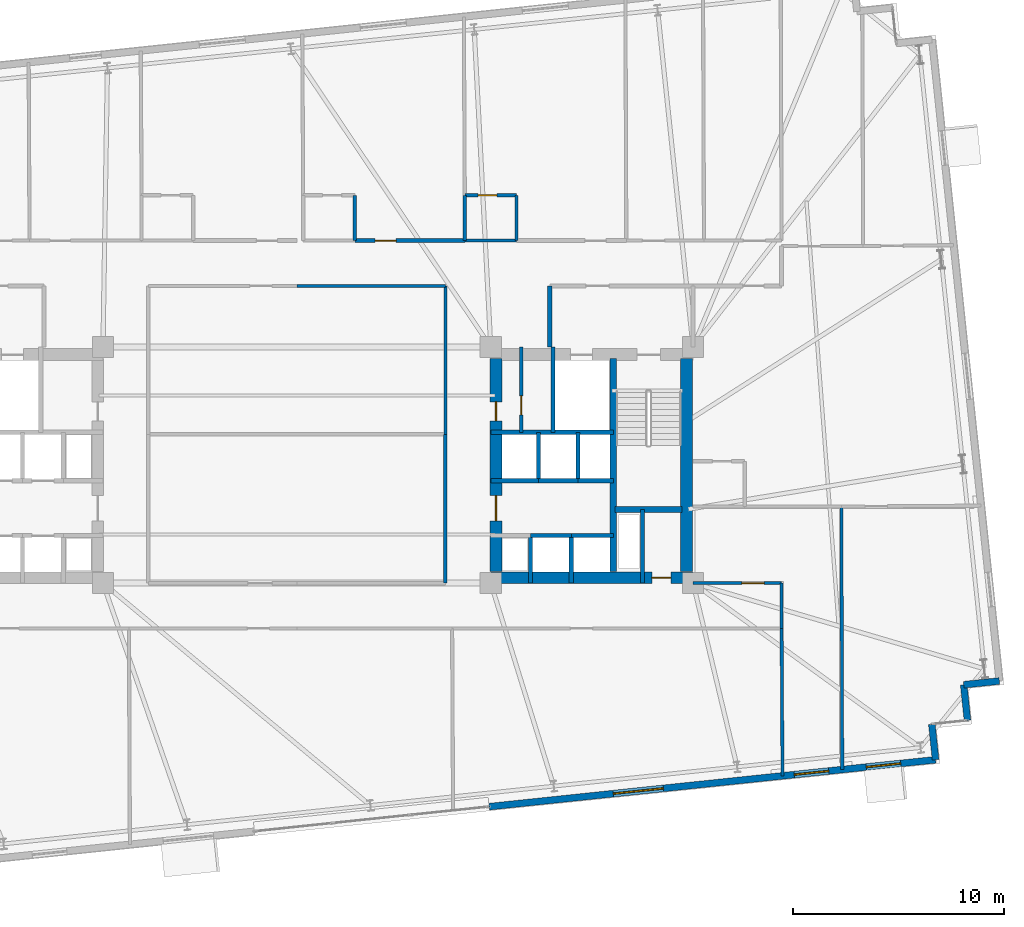
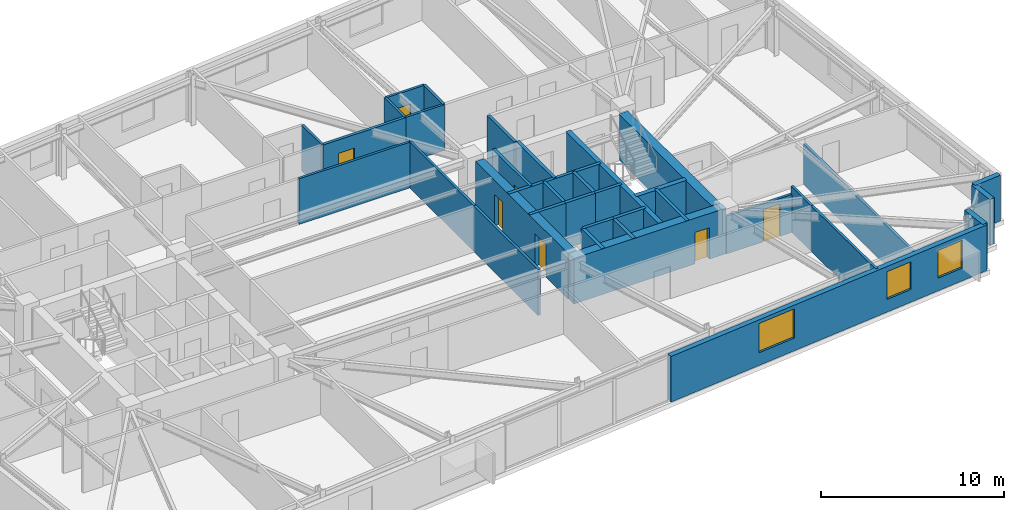
# One storey, part 18 of 23: 36 walls, 7 doors, 3 windows, 10 openings.
"""IFC4 building model written with IfcOpenShell, lengths in metres."""

from ifc_helpers import new_model, si_unit, direction, frame, frame_2d, origin, place, context, subcontext, project, spatial, rectangle, extrude, material, layer, layer_set, type_object, element, fill, save


model = new_model("IFC4")

# Units and contexts
model_context = context("Model", 3, precision=1e-05, world=origin(), true_north=direction((0.0, 1.0)))
body_context = subcontext(model_context, "Body", "Model", "MODEL_VIEW")
ifc_project = project(units=[si_unit("LENGTHUNIT", "METRE"), si_unit("AREAUNIT", "SQUARE_METRE"), si_unit("VOLUMEUNIT", "CUBIC_METRE"), si_unit("PLANEANGLEUNIT", "RADIAN"), si_unit("MASSUNIT", "GRAM", prefix="KILO")], contexts=[model_context])

# Site, building, storey
site_placement = place(None, origin())
site = spatial("IfcSite", under=ifc_project, at=site_placement, CompositionType="ELEMENT")
building_placement = place(site_placement, origin())
building = spatial("IfcBuilding", under=site, at=building_placement, Name="Qobustan Lattice House", CompositionType="ELEMENT")
storey_placement = place(building_placement, frame((0.0, 0.0, 95.75)))
storey = spatial("IfcBuildingStorey", under=building, at=storey_placement, Name="L26", CompositionType="ELEMENT", Elevation=95.75)

# Wall, opening, door
ifc_material_1 = material(Name="Concrete C60/75", Category="concrete")
ifc_layer_1 = layer(ifc_material_1, 0.56005859375)
ifc_layer_set_1 = layer_set([ifc_layer_1], Name="Concrete C60/75")
wall_type_1 = type_object("IfcWallType", Name="WAL-CORE-600", PredefinedType="SHEAR", material=ifc_layer_set_1)
wall_1_placement = place(storey_placement, frame((9.199951171875, -5.35009765625, 0.0), z_axis=(0.0, 0.0, 1.0), x_axis=(1.0, 0.0, 0.0)))
wall_1 = element("IfcWall", 1, at=wall_1_placement, inside=storey, type_object=wall_type_1, Name="L26 split-core shear wall CE-S", PredefinedType="SHEAR", context=body_context, shape_type="SweptSolid", body=[
    extrude(rectangle(XDim=9.60009765625, YDim=0.56005859375, at=frame_2d((4.800048828125, 0.0))), origin(), (0.0, 0.0, 1.0), 3.044921875),
])
opening_1_placement = place(wall_1_placement, frame((7.64990234375, 0.0, 0.0)))
opening_1 = element("IfcOpeningElement", 2, at=opening_1_placement, cuts=wall_1, Name="Opening RD-01", PredefinedType="OPENING", context=body_context, shape_type="SweptSolid", body=[
    extrude(rectangle(XDim=0.89990234375, YDim=2.10009765625, at=frame_2d((0.449951171875, 1.050048828125))), frame((0.0, 0.2900390625, 0.0), z_axis=(0.0, -1.0, 0.0), x_axis=(1.0, 0.0, 0.0)), (0.0, 0.0, 1.0), 0.580078125),
])
ifc_material_2 = material(Name="Persian walnut timber and steel frame door", Category="steel")
door_type_1 = type_object("IfcDoorType", Name="DOR-RISER-FD-900x2100", OperationType="NOTDEFINED", PredefinedType="DOOR", material=ifc_material_2)
door_1_placement = place(opening_1_placement, origin())
door_1 = element("IfcDoor", 3, at=door_1_placement, inside=storey, type_object=door_type_1, Name="L26 core service riser access door E", OperationType="SINGLE_SWING_RIGHT", OverallHeight=2.10009765625, OverallWidth=0.89990234375, PredefinedType="DOOR", context=body_context, shape_type="SweptSolid", body=[
    extrude(rectangle(XDim=0.89990234375, YDim=2.10009765625, at=frame_2d((0.449951171875, 1.050048828125))), frame((0.0, 0.02490234375, 0.0), z_axis=(0.0, -1.0, 0.0), x_axis=(1.0, 0.0, 0.0)), (0.0, 0.0, 1.0), 0.050048828125),
])
fill(opening_1, door_1)

# Wall, openings, doors
wall_2_placement = place(storey_placement, frame((9.449951171875, -5.050048828125, 0.0), z_axis=(0.0, 0.0, 1.0), x_axis=(0.0, 1.0, 0.0)))
wall_2 = element("IfcWall", 4, at=wall_2_placement, inside=storey, type_object=wall_type_1, Name="L26 split-core shear wall CE-W", PredefinedType="SHEAR", context=body_context, shape_type="SweptSolid", body=[
    extrude(rectangle(XDim=10.10009765625, YDim=0.56005859375, at=frame_2d((5.050048828125, 0.0))), origin(), (0.0, 0.0, 1.0), 3.044921875),
])
opening_2_placement = place(wall_2_placement, frame((7.14990234375, 0.0, 0.0)))
opening_2 = element("IfcOpeningElement", 5, at=opening_2_placement, cuts=wall_2, Name="Opening RD-01", PredefinedType="OPENING", context=body_context, shape_type="SweptSolid", body=[
    extrude(rectangle(XDim=0.89990234375, YDim=2.10009765625, at=frame_2d((0.449951171875, 1.050048828125))), frame((0.0, 0.2900390625, 0.0), z_axis=(0.0, -1.0, 0.0), x_axis=(1.0, 0.0, 0.0)), (0.0, 0.0, 1.0), 0.580078125),
])
opening_3_placement = place(wall_2_placement, frame((2.39990234375, 0.0, 0.0)))
opening_3 = element("IfcOpeningElement", 6, at=opening_3_placement, cuts=wall_2, Name="Opening FD-01", PredefinedType="OPENING", context=body_context, shape_type="SweptSolid", body=[
    extrude(rectangle(XDim=1.199951171875, YDim=2.14990234375, at=frame_2d((0.60009765625, 1.074951171875))), frame((0.0, 0.2900390625, 0.0), z_axis=(0.0, -1.0, 0.0), x_axis=(1.0, 0.0, 0.0)), (0.0, 0.0, 1.0), 0.580078125),
])
ifc_material_3 = material(Name="Persian walnut timber and steel frame door", Category="steel")
door_type_2 = type_object("IfcDoorType", Name="DOR-LOBBY-FD-1200x2150", OperationType="NOTDEFINED", PredefinedType="DOOR", material=ifc_material_3)
door_2_placement = place(opening_3_placement, origin())
door_2 = element("IfcDoor", 7, at=door_2_placement, inside=storey, type_object=door_type_2, Name="L26 East passenger lift lobby fire door", OperationType="SINGLE_SWING_LEFT", OverallHeight=2.14990234375, OverallWidth=1.199951171875, PredefinedType="DOOR", context=body_context, shape_type="SweptSolid", body=[
    extrude(rectangle(XDim=1.199951171875, YDim=2.14990234375, at=frame_2d((0.60009765625, 1.074951171875))), frame((0.0, 0.02490234375, 0.0), z_axis=(0.0, -1.0, 0.0), x_axis=(1.0, 0.0, 0.0)), (0.0, 0.0, 1.0), 0.050048828125),
])
fill(opening_3, door_2)
door_3_placement = place(opening_2_placement, origin())
door_3 = element("IfcDoor", 8, at=door_3_placement, inside=storey, type_object=door_type_1, Name="L26 Print and mail closet fire door", OperationType="SINGLE_SWING_RIGHT", OverallHeight=2.10009765625, OverallWidth=0.89990234375, PredefinedType="DOOR", context=body_context, shape_type="SweptSolid", body=[
    extrude(rectangle(XDim=0.89990234375, YDim=2.10009765625, at=frame_2d((0.449951171875, 1.050048828125))), frame((0.0, 0.02490234375, 0.0), z_axis=(0.0, -1.0, 0.0), x_axis=(1.0, 0.0, 0.0)), (0.0, 0.0, 1.0), 0.050048828125),
])
fill(opening_2, door_3)

# Walls
wall_3_placement = place(storey_placement, frame((18.489990234375, -5.050048828125, 0.0), z_axis=(0.0, 0.0, 1.0), x_axis=(0.0, 1.0, 0.0)))
element("IfcWall", 9, at=wall_3_placement, inside=storey, type_object=wall_type_1, Name="L26 split-core shear wall CE-E", PredefinedType="SHEAR", context=body_context, shape_type="SweptSolid", body=[
    extrude(rectangle(XDim=10.10009765625, YDim=0.56005859375, at=frame_2d((5.050048828125, 0.0))), origin(), (0.0, 0.0, 1.0), 3.044921875),
])
ifc_material_4 = material(Name="Concrete C50/60", Category="concrete")
ifc_layer_2 = layer(ifc_material_4, 0.280029296875)
ifc_layer_set_2 = layer_set([ifc_layer_2], Name="Concrete C50/60")
wall_type_2 = type_object("IfcWallType", Name="WAL-CORE-SPINE-280", PredefinedType="SHEAR", material=ifc_layer_set_2)
wall_4_placement = place(storey_placement, frame((15.02001953125, -5.050048828125, 0.0), z_axis=(0.0, 0.0, 1.0), x_axis=(0.0, 1.0, 0.0)))
element("IfcWall", 10, at=wall_4_placement, inside=storey, type_object=wall_type_2, Name="L26 split-core shear wall CE-M", PredefinedType="SHEAR", context=body_context, shape_type="SweptSolid", body=[
    extrude(rectangle(XDim=10.10009765625, YDim=0.300048828125, at=frame_2d((5.050048828125, 0.0))), origin(), (0.0, 0.0, 1.0), 3.044921875),
])
wall_5_placement = place(storey_placement, frame((15.10009765625, -2.110107421875, 0.0), z_axis=(0.0, 0.0, 1.0), x_axis=(1.0, 0.0, 0.0)))
element("IfcWall", 11, at=wall_5_placement, inside=storey, type_object=wall_type_2, Name="L26 split-core shear wall CE-ST", PredefinedType="SHEAR", context=body_context, shape_type="SweptSolid", body=[
    extrude(rectangle(XDim=3.179931640625, YDim=0.300048828125, at=frame_2d((1.58984375, 0.0))), origin(), (0.0, 0.0, 1.0), 3.044921875),
])
ifc_material_5 = material(Name="Precast concrete C40/50", Category="concrete")
ifc_layer_3 = layer(ifc_material_5, 0.320068359375)
ifc_layer_set_3 = layer_set([ifc_layer_3], Name="Precast concrete C40/50")
wall_type_3 = type_object("IfcWallType", Name="WAL-EXT-STONE-320", PredefinedType="SOLIDWALL", material=ifc_layer_set_3)
for number, where, z_axis, x_axis, name in (
    (12, (33.333251953125, -10.2490234375, 0.0), (0.0, 0.0, 1.0), (-0.994519608382, -0.104550220202, 0.0), "L26 exterior limestone-clad wall 16"),
    (13, (31.642578125, -10.4267578125, 0.0), (0.0, 0.0, 1.0), (0.104550220202, -0.994519608382, 0.0), "L26 exterior limestone-clad wall 17"),
):
    element("IfcWall", number, at=place(storey_placement, frame(where, z_axis=z_axis, x_axis=x_axis)), inside=storey, type_object=wall_type_3, Name=name, PredefinedType="SOLIDWALL", context=body_context, shape_type="SweptSolid", body=[
        extrude(rectangle(XDim=1.699951171875, YDim=0.320068359375, at=frame_2d((0.85009765625, 0.0))), origin(), (0.0, 0.0, 1.0), 3.044921875),
    ])
wall_6_placement = place(storey_placement, frame((30.129638671875, -12.295166015625, 0.0), z_axis=(0.0, 0.0, 1.0), x_axis=(0.104565154801, -0.994518038248, 0.0)))
element("IfcWall", 14, at=wall_6_placement, inside=storey, type_object=wall_type_3, Name="L26 exterior limestone-clad wall 19", PredefinedType="SOLIDWALL", context=body_context, shape_type="SweptSolid", body=[
    extrude(rectangle(XDim=1.69970703125, YDim=0.320068359375, at=frame_2d((0.849853515625, 0.0))), origin(), (0.0, 0.0, 1.0), 3.044921875),
])

# Wall, openings, windows
wall_7_placement = place(storey_placement, frame((30.307373046875, -13.985595703125, 0.0), z_axis=(0.0, 0.0, 1.0), x_axis=(-0.994521393935, -0.104533233979, 0.0)))
wall_7 = element("IfcWall", 15, at=wall_7_placement, inside=storey, type_object=wall_type_3, Name="L26 iwan flank stone wall A", PredefinedType="SOLIDWALL", context=body_context, shape_type="SweptSolid", body=[
    extrude(rectangle(XDim=21.300048828125, YDim=0.320068359375, at=frame_2d((10.64990234375, 0.0))), origin(), (0.0, 0.0, 1.0), 3.044921875),
])
opening_4_placement = place(wall_7_placement, frame((1.6572265625, 0.0, 0.85009765625)))
opening_4 = element("IfcOpeningElement", 16, at=opening_4_placement, cuts=wall_7, Name="Opening WN-09", PredefinedType="OPENING", context=body_context, shape_type="SweptSolid", body=[
    extrude(rectangle(XDim=1.64990234375, YDim=1.85009765625, at=frame_2d((0.824951171875, 0.925048828125))), frame((0.0, 0.169921875, 0.0), z_axis=(0.0, -1.0, 0.0), x_axis=(1.0, 0.0, 0.0)), (0.0, 0.0, 1.0), 0.340087890625),
])
opening_5_placement = place(wall_7_placement, frame((5.1005859375, 0.0, 0.85009765625)))
opening_5 = element("IfcOpeningElement", 17, at=opening_5_placement, cuts=wall_7, Name="Opening WN-09", PredefinedType="OPENING", context=body_context, shape_type="SweptSolid", body=[
    extrude(rectangle(XDim=1.64990234375, YDim=1.85009765625, at=frame_2d((0.824951171875, 0.925048828125))), frame((0.0, 0.169921875, 0.0), z_axis=(0.0, -1.0, 0.0), x_axis=(1.0, 0.0, 0.0)), (0.0, 0.0, 1.0), 0.340087890625),
])
opening_6_placement = place(wall_7_placement, frame((12.9833984375, 0.0, 0.85009765625)))
opening_6 = element("IfcOpeningElement", 18, at=opening_6_placement, cuts=wall_7, Name="Opening WN-10", PredefinedType="OPENING", context=body_context, shape_type="SweptSolid", body=[
    extrude(rectangle(XDim=2.39990234375, YDim=1.949951171875, at=frame_2d((1.199951171875, 0.97509765625))), frame((0.0, 0.169921875, 0.0), z_axis=(0.0, -1.0, 0.0), x_axis=(1.0, 0.0, 0.0)), (0.0, 0.0, 1.0), 0.340087890625),
])
ifc_material_6 = material(Name="Double-glazed low-E aluminium window", Category="aluminium")
window_type_1 = type_object("IfcWindowType", Name="WIN-LNG-2400x1950", PartitioningType="SINGLE_PANEL", PredefinedType="WINDOW", material=ifc_material_6)
window_1_placement = place(opening_6_placement, origin())
window_1 = element("IfcWindow", 19, at=window_1_placement, inside=storey, type_object=window_type_1, Name="L26 Walnut iwan sky lounge S3 window", OverallHeight=1.949951171875, OverallWidth=2.39990234375, PartitioningType="SINGLE_PANEL", PredefinedType="WINDOW", context=body_context, shape_type="SweptSolid", body=[
    extrude(rectangle(XDim=2.39990234375, YDim=1.949951171875, at=frame_2d((1.199951171875, 0.97509765625))), frame((0.0, 0.030029296875, 0.0), z_axis=(0.0, -1.0, 0.0), x_axis=(1.0, 0.0, 0.0)), (0.0, 0.0, 1.0), 0.06005859375),
])
fill(opening_6, window_1)
ifc_material_7 = material(Name="Double-glazed low-E aluminium window", Category="aluminium")
window_type_2 = type_object("IfcWindowType", Name="WIN-STU-1650x1850", PartitioningType="SINGLE_PANEL", PredefinedType="WINDOW", material=ifc_material_7)
window_2_placement = place(opening_4_placement, origin())
window_2 = element("IfcWindow", 20, at=window_2_placement, inside=storey, type_object=window_type_2, Name="L26 Focus study room E1B window", OverallHeight=1.85009765625, OverallWidth=1.64990234375, PartitioningType="SINGLE_PANEL", PredefinedType="WINDOW", context=body_context, shape_type="SweptSolid", body=[
    extrude(rectangle(XDim=1.64990234375, YDim=1.85009765625, at=frame_2d((0.824951171875, 0.925048828125))), frame((0.0, 0.030029296875, 0.0), z_axis=(0.0, -1.0, 0.0), x_axis=(1.0, 0.0, 0.0)), (0.0, 0.0, 1.0), 0.06005859375),
])
fill(opening_4, window_2)
window_3_placement = place(opening_5_placement, origin())
window_3 = element("IfcWindow", 21, at=window_3_placement, inside=storey, type_object=window_type_2, Name="L26 Focus study room E1A window", OverallHeight=1.85009765625, OverallWidth=1.64990234375, PartitioningType="SINGLE_PANEL", PredefinedType="WINDOW", context=body_context, shape_type="SweptSolid", body=[
    extrude(rectangle(XDim=1.64990234375, YDim=1.85009765625, at=frame_2d((0.824951171875, 0.925048828125))), frame((0.0, 0.030029296875, 0.0), z_axis=(0.0, -1.0, 0.0), x_axis=(1.0, 0.0, 0.0)), (0.0, 0.0, 1.0), 0.06005859375),
])
fill(opening_5, window_3)

# Wall, opening, door
ifc_material_8 = material(Name="Gypsum fireboard acoustic partition", Category="gypsum")
ifc_layer_4 = layer(ifc_material_8, 0.179931640625)
ifc_layer_set_4 = layer_set([ifc_layer_4], Name="Gypsum fireboard acoustic partition")
wall_type_4 = type_object("IfcWallType", Name="WAL-FIRE-180", PredefinedType="PARTITIONING", material=ifc_layer_set_4)
wall_8_placement = place(storey_placement, frame((10.64990234375, 1.550048828125, 0.0), z_axis=(0.0, 0.0, 1.0), x_axis=(0.0, 1.0, 0.0)))
wall_8 = element("IfcWall", 22, at=wall_8_placement, inside=storey, type_object=wall_type_4, Name="L26 interior partition 23", PredefinedType="PARTITIONING", context=body_context, shape_type="SweptSolid", body=[
    extrude(rectangle(XDim=4.050048828125, YDim=0.179931640625, at=frame_2d((2.02490234375, 0.0))), origin(), (0.0, 0.0, 1.0), 3.044921875),
])
opening_7_placement = place(wall_8_placement, frame((0.828857421875, 0.0, 0.0)))
opening_7 = element("IfcOpeningElement", 23, at=opening_7_placement, cuts=wall_8, Name="Opening RD-01", PredefinedType="OPENING", context=body_context, shape_type="SweptSolid", body=[
    extrude(rectangle(XDim=0.89990234375, YDim=2.10009765625, at=frame_2d((0.449951171875, 1.050048828125))), frame((0.0, 0.099853515625, 0.0), z_axis=(0.0, -1.0, 0.0), x_axis=(1.0, 0.0, 0.0)), (0.0, 0.0, 1.0), 0.199951171875),
])
door_4_placement = place(opening_7_placement, origin())
door_4 = element("IfcDoor", 24, at=door_4_placement, inside=storey, type_object=door_type_1, Name="L26 Print and mail closet to Core utility store door", OperationType="SINGLE_SWING_LEFT", OverallHeight=2.10009765625, OverallWidth=0.89990234375, PredefinedType="DOOR", context=body_context, shape_type="SweptSolid", body=[
    extrude(rectangle(XDim=0.89990234375, YDim=2.10009765625, at=frame_2d((0.449951171875, 1.050048828125))), frame((0.0, 0.02490234375, 0.0), z_axis=(0.0, -1.0, 0.0), x_axis=(1.0, 0.0, 0.0)), (0.0, 0.0, 1.0), 0.050048828125),
])
fill(opening_7, door_4)

wall_9_placement = place(storey_placement, frame((2.75, 10.64990234375, 0.0), z_axis=(0.0, 0.0, 1.0), x_axis=(1.0, 0.0, 0.0)))
wall_9 = element("IfcWall", 25, at=wall_9_placement, inside=storey, type_object=wall_type_4, Name="L26 interior partition 46", PredefinedType="PARTITIONING", context=body_context, shape_type="SweptSolid", body=[
    extrude(rectangle(XDim=5.217041015625, YDim=0.179931640625, at=frame_2d((2.6083984375, 0.0))), origin(), (0.0, 0.0, 1.0), 3.044921875),
])
opening_8_placement = place(wall_9_placement, frame((0.962158203125, 0.0, 0.0)))
opening_8 = element("IfcOpeningElement", 26, at=opening_8_placement, cuts=wall_9, Name="Opening FD-02", PredefinedType="OPENING", context=body_context, shape_type="SweptSolid", body=[
    extrude(rectangle(XDim=1.0, YDim=2.14990234375, at=frame_2d((0.5, 1.074951171875))), frame((0.0, 0.099853515625, 0.0), z_axis=(0.0, -1.0, 0.0), x_axis=(1.0, 0.0, 0.0)), (0.0, 0.0, 1.0), 0.199951171875),
])
ifc_material_9 = material(Name="Persian walnut timber and steel frame door", Category="steel")
door_type_3 = type_object("IfcDoorType", Name="DOR-UNIT-FD-1000x2150", OperationType="NOTDEFINED", PredefinedType="DOOR", material=ifc_material_9)
door_5_placement = place(opening_8_placement, origin())
door_5 = element("IfcDoor", 27, at=door_5_placement, inside=storey, type_object=door_type_3, Name="L26 North-east floor corridor to Kitchenette and studio apartment L26-N4 door", OperationType="SINGLE_SWING_LEFT", OverallHeight=2.14990234375, OverallWidth=1.0, PredefinedType="DOOR", context=body_context, shape_type="SweptSolid", body=[
    extrude(rectangle(XDim=1.0, YDim=2.14990234375, at=frame_2d((0.5, 1.074951171875))), frame((0.0, 0.02490234375, 0.0), z_axis=(0.0, -1.0, 0.0), x_axis=(1.0, 0.0, 0.0)), (0.0, 0.0, 1.0), 0.050048828125),
])
fill(opening_8, door_5)

# Wall
ifc_material_10 = material(Name="Acoustic twin-stud gypsum partition", Category="gypsum")
ifc_layer_5 = layer(ifc_material_10, 0.14990234375)
ifc_layer_set_5 = layer_set([ifc_layer_5], Name="Acoustic twin-stud gypsum partition")
wall_type_5 = type_object("IfcWallType", Name="WAL-PART-150", PredefinedType="PARTITIONING", material=ifc_layer_set_5)
wall_10_placement = place(storey_placement, frame((7.050048828125, 8.5, 0.0), z_axis=(0.0, 0.0, 1.0), x_axis=(-1.0, 0.0, 0.0)))
element("IfcWall", 28, at=wall_10_placement, inside=storey, type_object=wall_type_5, Name="L26 interior partition 52", PredefinedType="PARTITIONING", context=body_context, shape_type="SweptSolid", body=[
    extrude(rectangle(XDim=7.050048828125, YDim=0.14990234375, at=frame_2d((3.52490234375, 0.0))), origin(), (0.0, 0.0, 1.0), 3.044921875),
])

# Wall, opening, door
wall_11_placement = place(storey_placement, frame((18.800048828125, -5.60009765625, 0.0), z_axis=(0.0, 0.0, 1.0), x_axis=(1.0, 0.0, 0.0)))
wall_11 = element("IfcWall", 29, at=wall_11_placement, inside=storey, type_object=wall_type_5, Name="L26 interior partition 59", PredefinedType="PARTITIONING", context=body_context, shape_type="SweptSolid", body=[
    extrude(rectangle(XDim=4.199951171875, YDim=0.14990234375, at=frame_2d((2.10009765625, 0.0))), origin(), (0.0, 0.0, 1.0), 2.530029296875),
])
opening_9_placement = place(wall_11_placement, frame((2.3212890625, 0.0, 0.0)))
opening_9 = element("IfcOpeningElement", 30, at=opening_9_placement, cuts=wall_11, Name="Opening ID-02", PredefinedType="OPENING", context=body_context, shape_type="SweptSolid", body=[
    extrude(rectangle(XDim=1.050048828125, YDim=2.14990234375, at=frame_2d((0.52490234375, 1.074951171875))), frame((0.0, 0.0849609375, 0.0), z_axis=(0.0, -1.0, 0.0), x_axis=(1.0, 0.0, 0.0)), (0.0, 0.0, 1.0), 0.169921875),
])
ifc_material_11 = material(Name="Persian walnut timber and steel frame door", Category="steel")
door_type_4 = type_object("IfcDoorType", Name="DOR-STUDY-1050x2150", OperationType="NOTDEFINED", PredefinedType="DOOR", material=ifc_material_11)
door_6_placement = place(opening_9_placement, origin())
door_6 = element("IfcDoor", 31, at=door_6_placement, inside=storey, type_object=door_type_4, Name="L26 South-east floor corridor to Focus study room E1A door", OperationType="SINGLE_SWING_LEFT", OverallHeight=2.14990234375, OverallWidth=1.050048828125, PredefinedType="DOOR", context=body_context, shape_type="SweptSolid", body=[
    extrude(rectangle(XDim=1.050048828125, YDim=2.14990234375, at=frame_2d((0.52490234375, 1.074951171875))), frame((0.0, 0.02490234375, 0.0), z_axis=(0.0, -1.0, 0.0), x_axis=(1.0, 0.0, 0.0)), (0.0, 0.0, 1.0), 0.050048828125),
])
fill(opening_9, door_6)

# Walls
wall_12_placement = place(storey_placement, frame((23.0, -5.60009765625, 0.0), z_axis=(0.0, 0.0, 1.0), x_axis=(0.0, -1.0, 0.0)))
element("IfcWall", 32, at=wall_12_placement, inside=storey, type_object=wall_type_5, Name="L26 interior partition 60", PredefinedType="PARTITIONING", context=body_context, shape_type="SweptSolid", body=[
    extrude(rectangle(XDim=2.14990234375, YDim=0.14990234375, at=frame_2d((1.074951171875, 0.0))), origin(), (0.0, 0.0, 1.0), 3.044921875),
])
wall_13_placement = place(storey_placement, frame((7.050048828125, 1.449951171875, 0.0), z_axis=(0.0, 0.0, 1.0), x_axis=(0.0, 1.0, 0.0)))
element("IfcWall", 33, at=wall_13_placement, inside=storey, type_object=wall_type_5, Name="L26 interior partition 67", PredefinedType="PARTITIONING", context=body_context, shape_type="SweptSolid", body=[
    extrude(rectangle(XDim=7.050048828125, YDim=0.14990234375, at=frame_2d((3.52490234375, 0.0))), origin(), (0.0, 0.0, 1.0), 3.044921875),
])
wall_14_placement = place(storey_placement, frame((25.835693359375, -1.971923828125, 0.0), z_axis=(0.0, 0.0, 1.0), x_axis=(0.003521449358, -0.999993799678, 0.0)))
element("IfcWall", 34, at=wall_14_placement, inside=storey, type_object=wall_type_5, Name="L26 interior partition 77", PredefinedType="PARTITIONING", context=body_context, shape_type="SweptSolid", body=[
    extrude(rectangle(XDim=12.479248046875, YDim=0.14990234375, at=frame_2d((6.23974609375, 0.0))), origin(), (0.0, 0.0, 1.0), 2.699951171875),
])
wall_15_placement = place(storey_placement, frame((23.0439453125, -14.7490234375, 0.0), z_axis=(0.0, 0.0, 1.0), x_axis=(-0.006278653971, 0.999980289058, 0.0)))
element("IfcWall", 35, at=wall_15_placement, inside=storey, type_object=wall_type_5, Name="L26 interior partition 80", PredefinedType="PARTITIONING", context=body_context, shape_type="SweptSolid", body=[
    extrude(rectangle(XDim=6.999267578125, YDim=0.14990234375, at=frame_2d((3.49951171875, 0.0))), origin(), (0.0, 0.0, 1.0), 3.044921875),
])
ifc_material_12 = material(Name="High-mass acoustic twin-stud partition", Category="gypsum")
ifc_layer_6 = layer(ifc_material_12, 0.1650390625)
ifc_layer_set_6 = layer_set([ifc_layer_6], Name="High-mass acoustic twin-stud partition")
wall_type_6 = type_object("IfcWallType", Name="WAL-PART-165", PredefinedType="PARTITIONING", material=ifc_layer_set_6)
wall_16_placement = place(storey_placement, frame((7.050048828125, -5.60009765625, 0.0), z_axis=(0.0, 0.0, 1.0), x_axis=(0.0, 1.0, 0.0)))
element("IfcWall", 36, at=wall_16_placement, inside=storey, type_object=wall_type_6, Name="L26 interior partition 66", PredefinedType="PARTITIONING", context=body_context, shape_type="SweptSolid", body=[
    extrude(rectangle(XDim=7.050048828125, YDim=0.1650390625, at=frame_2d((3.52490234375, 0.0))), origin(), (0.0, 0.0, 1.0), 3.044921875),
])
ifc_material_13 = material(Name="Two-hour gypsum fireboard acoustic partition", Category="gypsum")
ifc_layer_7 = layer(ifc_material_13, 0.199951171875)
ifc_layer_set_7 = layer_set([ifc_layer_7], Name="Two-hour gypsum fireboard acoustic partition")
wall_type_7 = type_object("IfcWallType", Name="WAL-PROT-200", PredefinedType="PARTITIONING", material=ifc_layer_set_7)
wall_17_placement = place(storey_placement, frame((12.0, 8.5, 0.0), z_axis=(0.0, 0.0, 1.0), x_axis=(0.0, -1.0, 0.0)))
element("IfcWall", 37, at=wall_17_placement, inside=storey, type_object=wall_type_7, Name="L26 interior partition 21", PredefinedType="PARTITIONING", context=body_context, shape_type="SweptSolid", body=[
    extrude(rectangle(XDim=2.89990234375, YDim=0.199951171875, at=frame_2d((1.449951171875, 0.0))), origin(), (0.0, 0.0, 1.0), 3.044921875),
])
ifc_material_14 = material(Name="Concrete C40/50", Category="concrete")
ifc_layer_8 = layer(ifc_material_14, 0.199951171875)
ifc_layer_set_8 = layer_set([ifc_layer_8], Name="Concrete C40/50")
wall_type_8 = type_object("IfcWallType", Name="WAL-SHAFT-200", PredefinedType="PARTITIONING", material=ifc_layer_set_8)
wall_18_placement = place(storey_placement, frame((16.39990234375, -2.110107421875, 0.0), z_axis=(0.0, 0.0, 1.0), x_axis=(0.0, -1.0, 0.0)))
element("IfcWall", 38, at=wall_18_placement, inside=storey, type_object=wall_type_8, Name="L26 interior partition 18", PredefinedType="PARTITIONING", context=body_context, shape_type="SweptSolid", body=[
    extrude(rectangle(XDim=3.489990234375, YDim=0.199951171875, at=frame_2d((1.7451171875, 0.0))), origin(), (0.0, 0.0, 1.0), 3.044921875),
])
wall_19_placement = place(storey_placement, frame((12.14990234375, 5.60009765625, 0.0), z_axis=(0.0, 0.0, 1.0), x_axis=(0.0, -1.0, 0.0)))
element("IfcWall", 39, at=wall_19_placement, inside=storey, type_object=wall_type_8, Name="L26 interior partition 19", PredefinedType="PARTITIONING", context=body_context, shape_type="SweptSolid", body=[
    extrude(rectangle(XDim=4.050048828125, YDim=0.199951171875, at=frame_2d((2.02490234375, 0.0))), origin(), (0.0, 0.0, 1.0), 3.044921875),
])
wall_20_placement = place(storey_placement, frame((11.080078125, -3.35009765625, 0.0), z_axis=(0.0, 0.0, 1.0), x_axis=(1.0, 0.0, 0.0)))
element("IfcWall", 40, at=wall_20_placement, inside=storey, type_object=wall_type_8, Name="L26 interior partition 26", PredefinedType="PARTITIONING", context=body_context, shape_type="SweptSolid", body=[
    extrude(rectangle(XDim=1.93994140625, YDim=0.199951171875, at=frame_2d((0.969970703125, 0.0))), origin(), (0.0, 0.0, 1.0), 3.044921875),
])
wall_21_placement = place(storey_placement, frame((13.02001953125, -3.35009765625, 0.0), z_axis=(0.0, 0.0, 1.0), x_axis=(1.0, 0.0, 0.0)))
element("IfcWall", 41, at=wall_21_placement, inside=storey, type_object=wall_type_8, Name="L26 interior partition 27", PredefinedType="PARTITIONING", context=body_context, shape_type="SweptSolid", body=[
    extrude(rectangle(XDim=2.0, YDim=0.199951171875, at=frame_2d((1.0, 0.0))), origin(), (0.0, 0.0, 1.0), 3.044921875),
])
wall_22_placement = place(storey_placement, frame((11.4599609375, -0.75, 0.0), z_axis=(0.0, 0.0, 1.0), x_axis=(-1.0, 0.0, 0.0)))
element("IfcWall", 42, at=wall_22_placement, inside=storey, type_object=wall_type_8, Name="L26 interior partition 28", PredefinedType="PARTITIONING", context=body_context, shape_type="SweptSolid", body=[
    extrude(rectangle(XDim=2.260009765625, YDim=0.199951171875, at=frame_2d((1.1298828125, 0.0))), origin(), (0.0, 0.0, 1.0), 3.044921875),
])
wall_23_placement = place(storey_placement, frame((13.340087890625, -0.75, 0.0), z_axis=(0.0, 0.0, 1.0), x_axis=(-1.0, 0.0, 0.0)))
element("IfcWall", 43, at=wall_23_placement, inside=storey, type_object=wall_type_8, Name="L26 interior partition 29", PredefinedType="PARTITIONING", context=body_context, shape_type="SweptSolid", body=[
    extrude(rectangle(XDim=1.880126953125, YDim=0.199951171875, at=frame_2d((0.93994140625, 0.0))), origin(), (0.0, 0.0, 1.0), 3.044921875),
])
wall_24_placement = place(storey_placement, frame((15.02001953125, -0.75, 0.0), z_axis=(0.0, 0.0, 1.0), x_axis=(-1.0, 0.0, 0.0)))
element("IfcWall", 44, at=wall_24_placement, inside=storey, type_object=wall_type_8, Name="L26 interior partition 30", PredefinedType="PARTITIONING", context=body_context, shape_type="SweptSolid", body=[
    extrude(rectangle(XDim=1.679931640625, YDim=0.199951171875, at=frame_2d((0.83984375, 0.0))), origin(), (0.0, 0.0, 1.0), 3.044921875),
])
for number, where, z_axis, x_axis, name in (
    (45, (11.080078125, -5.60009765625, 0.0), (0.0, 0.0, 1.0), (0.0, 1.0, 0.0), "L26 interior partition 32"),
    (46, (13.02001953125, -5.60009765625, 0.0), (0.0, 0.0, 1.0), (0.0, 1.0, 0.0), "L26 interior partition 33"),
):
    element("IfcWall", number, at=place(storey_placement, frame(where, z_axis=z_axis, x_axis=x_axis)), inside=storey, type_object=wall_type_8, Name=name, PredefinedType="PARTITIONING", context=body_context, shape_type="SweptSolid", body=[
        extrude(rectangle(XDim=2.25, YDim=0.199951171875, at=frame_2d((1.125, 0.0))), origin(), (0.0, 0.0, 1.0), 3.044921875),
    ])
for number, where, z_axis, x_axis, name in (
    (47, (11.4599609375, -0.75, 0.0), (0.0, 0.0, 1.0), (0.0, 1.0, 0.0), "L26 interior partition 34"),
    (48, (13.340087890625, -0.75, 0.0), (0.0, 0.0, 1.0), (0.0, 1.0, 0.0), "L26 interior partition 35"),
):
    element("IfcWall", number, at=place(storey_placement, frame(where, z_axis=z_axis, x_axis=x_axis)), inside=storey, type_object=wall_type_8, Name=name, PredefinedType="PARTITIONING", context=body_context, shape_type="SweptSolid", body=[
        extrude(rectangle(XDim=2.300048828125, YDim=0.199951171875, at=frame_2d((1.14990234375, 0.0))), origin(), (0.0, 0.0, 1.0), 3.044921875),
    ])
wall_25_placement = place(storey_placement, frame((9.199951171875, 1.550048828125, 0.0), z_axis=(0.0, 0.0, 1.0), x_axis=(1.0, 0.0, 0.0)))
element("IfcWall", 49, at=wall_25_placement, inside=storey, type_object=wall_type_8, Name="L26 interior partition 109", PredefinedType="PARTITIONING", context=body_context, shape_type="SweptSolid", body=[
    extrude(rectangle(XDim=5.820068359375, YDim=0.199951171875, at=frame_2d((2.91015625, 0.0))), origin(), (0.0, 0.0, 1.0), 3.044921875),
])
ifc_material_15 = material(Name="Moisture-resistant acoustic plumbing wall", Category="gypsum")
ifc_layer_9 = layer(ifc_material_15, 0.14990234375)
ifc_layer_set_9 = layer_set([ifc_layer_9], Name="Moisture-resistant acoustic plumbing wall")
wall_type_9 = type_object("IfcWallType", Name="WAL-WET-150", PredefinedType="PLUMBINGWALL", material=ifc_layer_set_9)
wall_26_placement = place(storey_placement, frame((7.967041015625, 10.64990234375, 0.0), z_axis=(0.0, 0.0, 1.0), x_axis=(1.0, 0.0, 0.0)))
element("IfcWall", 50, at=wall_26_placement, inside=storey, type_object=wall_type_9, Name="L26 interior partition 49", PredefinedType="PLUMBINGWALL", context=body_context, shape_type="SweptSolid", body=[
    extrude(rectangle(XDim=2.449951171875, YDim=0.14990234375, at=frame_2d((1.22509765625, 0.0))), origin(), (0.0, 0.0, 1.0), 3.044921875),
])
for number, where, z_axis, x_axis, name in (
    (51, (2.75, 10.64990234375, 0.0), (0.0, 0.0, 1.0), (0.0, 1.0, 0.0), "L26 interior partition 97"),
    (52, (7.967041015625, 12.800048828125, 0.0), (0.0, 0.0, 1.0), (0.0, -1.0, 0.0), "L26 interior partition 99"),
):
    element("IfcWall", number, at=place(storey_placement, frame(where, z_axis=z_axis, x_axis=x_axis)), inside=storey, type_object=wall_type_9, Name=name, PredefinedType="PLUMBINGWALL", context=body_context, shape_type="SweptSolid", body=[
        extrude(rectangle(XDim=2.150146484375, YDim=0.14990234375, at=frame_2d((1.0751953125, 0.0))), origin(), (0.0, 0.0, 1.0), 3.044921875),
    ])

# Wall, opening, door
wall_27_placement = place(storey_placement, frame((10.4169921875, 12.800048828125, 0.0), z_axis=(0.0, 0.0, 1.0), x_axis=(-1.0, 0.0, 0.0)))
wall_27 = element("IfcWall", 53, at=wall_27_placement, inside=storey, type_object=wall_type_9, Name="L26 interior partition 100", PredefinedType="PLUMBINGWALL", context=body_context, shape_type="SweptSolid", body=[
    extrude(rectangle(XDim=2.449951171875, YDim=0.14990234375, at=frame_2d((1.22509765625, 0.0))), origin(), (0.0, 0.0, 1.0), 3.044921875),
])
opening_10_placement = place(wall_27_placement, frame((0.92138671875, 0.0, 0.0)))
opening_10 = element("IfcOpeningElement", 54, at=opening_10_placement, cuts=wall_27, Name="Opening WD-01", PredefinedType="OPENING", context=body_context, shape_type="SweptSolid", body=[
    extrude(rectangle(XDim=0.89990234375, YDim=2.10009765625, at=frame_2d((0.449951171875, 1.050048828125))), frame((0.0, 0.0849609375, 0.0), z_axis=(0.0, -1.0, 0.0), x_axis=(1.0, 0.0, 0.0)), (0.0, 0.0, 1.0), 0.169921875),
])
ifc_material_16 = material(Name="Persian walnut timber and steel frame door", Category="steel")
door_type_5 = type_object("IfcDoorType", Name="DOR-WET-900x2100", OperationType="NOTDEFINED", PredefinedType="DOOR", material=ifc_material_16)
door_7_placement = place(opening_10_placement, origin())
door_7 = element("IfcDoor", 55, at=door_7_placement, inside=storey, type_object=door_type_5, Name="L26 Kitchenette and studio apartment L26-N5 to En-suite bathroom L26-N5 door", OperationType="SINGLE_SWING_RIGHT", OverallHeight=2.10009765625, OverallWidth=0.89990234375, PredefinedType="DOOR", context=body_context, shape_type="SweptSolid", body=[
    extrude(rectangle(XDim=0.89990234375, YDim=2.10009765625, at=frame_2d((0.449951171875, 1.050048828125))), frame((0.0, 0.02490234375, 0.0), z_axis=(0.0, -1.0, 0.0), x_axis=(1.0, 0.0, 0.0)), (0.0, 0.0, 1.0), 0.050048828125),
])
fill(opening_10, door_7)

# Wall
wall_28_placement = place(storey_placement, frame((10.4169921875, 10.64990234375, 0.0), z_axis=(0.0, 0.0, 1.0), x_axis=(0.0, 1.0, 0.0)))
element("IfcWall", 56, at=wall_28_placement, inside=storey, type_object=wall_type_9, Name="L26 interior partition 101", PredefinedType="PLUMBINGWALL", context=body_context, shape_type="SweptSolid", body=[
    extrude(rectangle(XDim=2.150146484375, YDim=0.14990234375, at=frame_2d((1.0751953125, 0.0))), origin(), (0.0, 0.0, 1.0), 3.044921875),
])

save(model, "model.ifc")
